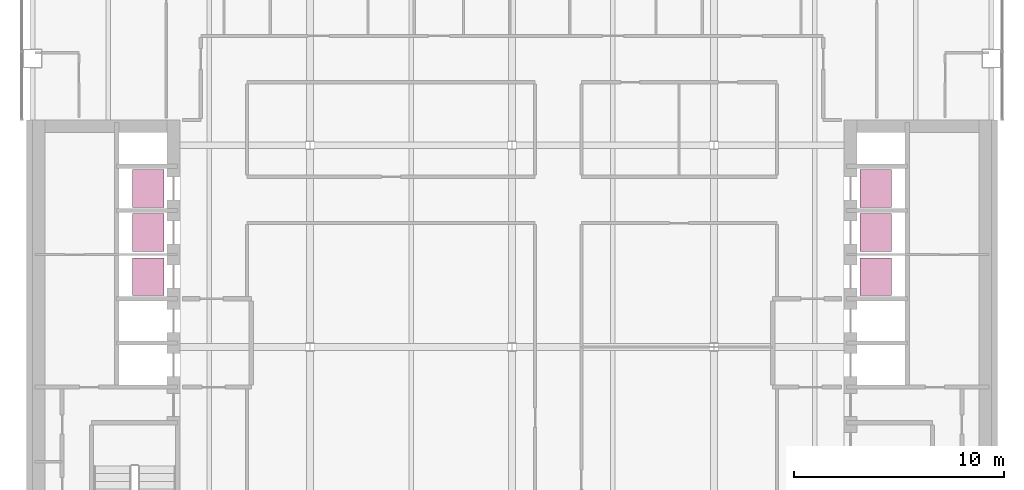
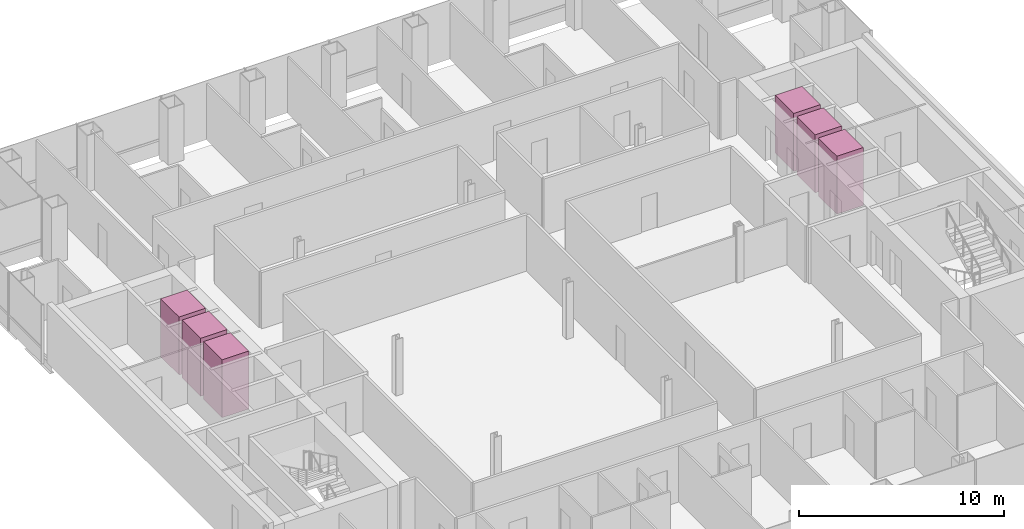
# One storey, part 16 of 16: 6 transport elements.
"""IFC4 building model written with IfcOpenShell, lengths in metres."""

from ifc_helpers import new_model, si_unit, direction, frame, origin, origin_2d, place, context, subcontext, project, spatial, rectangle, extrude, material, type_object, element, save


model = new_model("IFC4")

# Units and contexts
model_context = context("Model", 3, precision=1e-05, world=origin(), true_north=direction((0.0, 1.0)))
body_context = subcontext(model_context, "Body", "Model", "MODEL_VIEW")
ifc_project = project(units=[si_unit("LENGTHUNIT", "METRE"), si_unit("AREAUNIT", "SQUARE_METRE"), si_unit("VOLUMEUNIT", "CUBIC_METRE"), si_unit("PLANEANGLEUNIT", "RADIAN"), si_unit("MASSUNIT", "GRAM", prefix="KILO")], contexts=[model_context])

# Site, building, storey
site_placement = place(None, origin())
site = spatial("IfcSite", under=ifc_project, at=site_placement, CompositionType="ELEMENT")
building_placement = place(site_placement, origin())
building = spatial("IfcBuilding", under=site, at=building_placement, Name="Cobrizo Arcos Hotel Tower", CompositionType="ELEMENT")
storey_placement = place(building_placement, frame((0.0, 0.0, 92.5)))
storey = spatial("IfcBuildingStorey", under=building, at=storey_placement, Name="L22", CompositionType="ELEMENT", Elevation=92.5)

# Transport elements
ifc_material = material(Name="Stainless steel car", Category="steel")
transport_element_type = type_object("IfcTransportElementType", Name="Lift car Low 1.8x1.5", PredefinedType="ELEVATOR", material=ifc_material)
for number, where, z_axis, x_axis, name in (
    (1, (-17.300048828125, 3.35009765625, 0.0), (0.0, 0.0, 1.0), (1.0, 0.0, 0.0), "Low-rise passenger lift W1"),
    (2, (-17.300048828125, 5.449951171875, 0.0), (0.0, 0.0, 1.0), (1.0, 0.0, 0.0), "Low-rise passenger lift W2"),
    (3, (-17.300048828125, 7.550048828125, 0.0), (0.0, 0.0, 1.0), (1.0, 0.0, 0.0), "Low-rise passenger lift W3"),
    (4, (17.300048828125, 3.35009765625, 0.0), (0.0, 0.0, 1.0), (1.0, 0.0, 0.0), "Low-rise passenger lift E1"),
    (5, (17.300048828125, 5.449951171875, 0.0), (0.0, 0.0, 1.0), (1.0, 0.0, 0.0), "Low-rise passenger lift E2"),
    (6, (17.300048828125, 7.550048828125, 0.0), (0.0, 0.0, 1.0), (1.0, 0.0, 0.0), "Low-rise passenger lift E3"),
):
    element("IfcTransportElement", number, at=place(storey_placement, frame(where, z_axis=z_axis, x_axis=x_axis)), inside=storey, type_object=transport_element_type, Name=name, PredefinedType="ELEVATOR", context=body_context, shape_type="SweptSolid", body=[
        extrude(rectangle(XDim=1.5, YDim=1.800048828125, at=origin_2d()), origin(), (0.0, 0.0, 1.0), 3.449951171875),
    ])

save(model, "model.ifc")
